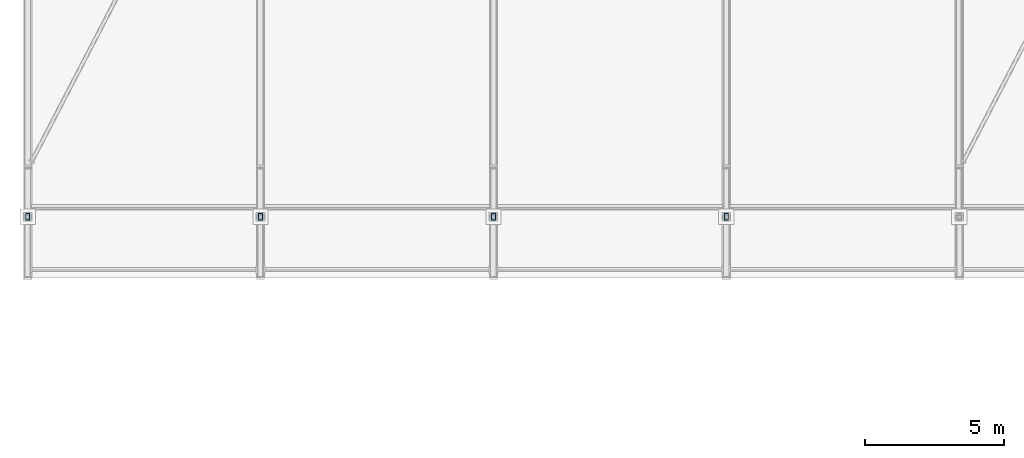
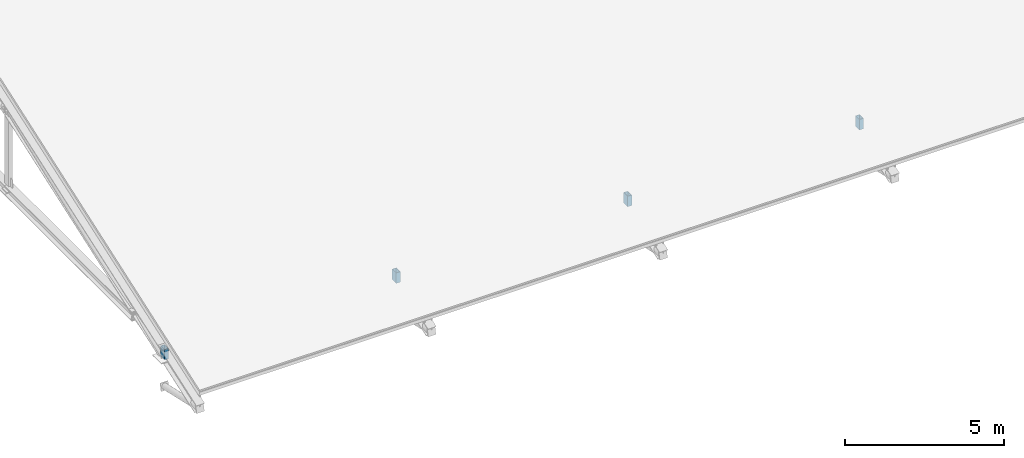
# One storey, part 21 of 57: 4 members.
"""IFC4 building model written with IfcOpenShell, lengths in metres."""

from ifc_helpers import new_model, si_unit, direction, frame, origin, origin_2d, place, context, subcontext, project, spatial, hollow_rectangle, extrude, material, material_profile, profile_set, type_object, element, save


model = new_model("IFC4")

# Units and contexts
model_context = context("Model", 3, precision=1e-05, world=origin(), true_north=direction((0.0, 1.0)))
body_context = subcontext(model_context, "Body", "Model", "MODEL_VIEW")
ifc_project = project(units=[si_unit("LENGTHUNIT", "METRE"), si_unit("AREAUNIT", "SQUARE_METRE"), si_unit("VOLUMEUNIT", "CUBIC_METRE"), si_unit("PLANEANGLEUNIT", "RADIAN"), si_unit("MASSUNIT", "GRAM", prefix="KILO")], contexts=[model_context])

# Site, building, storey
site_placement = place(None, origin())
site = spatial("IfcSite", under=ifc_project, at=site_placement, CompositionType="ELEMENT")
building_placement = place(site_placement, origin())
building = spatial("IfcBuilding", under=site, at=building_placement, Name="Kelarvand Opera House", CompositionType="ELEMENT")
storey_placement = place(building_placement, frame((0.0, 0.0, 33.60009765625)))
storey = spatial("IfcBuildingStorey", under=building, at=storey_placement, Name="Roof", CompositionType="ELEMENT", Elevation=33.60009765625)

# Members
ifc_material = material(Name="Steel S355", Category="steel")
ifc_material_profile = material_profile(ifc_material, hollow_rectangle(XDim=0.14990234375, YDim=0.25, WallThickness=0.010009765625, at=origin_2d()), Name="RHS 250x150x10.0", Category="steel")
ifc_profile_set = profile_set([ifc_material_profile], Name="Steel S355")
member_type = type_object("IfcMemberType", Name="Structural Post RHS 250x150x10.0 PS-RHS250", PredefinedType="POST", material=ifc_profile_set)
for number, where, z_axis, x_axis, name in (
    (1, (9.0, 87.199951171875, -14.10009765625), (0.0, 0.0, 1.0), (1.0, 0.0, 0.0), "V3 Roof Truss 1 Bearing Post S"),
    (2, (17.39990234375, 87.199951171875, -14.10009765625), (0.0, 0.0, 1.0), (1.0, 0.0, 0.0), "V3 Roof Truss 2 Bearing Post S"),
    (3, (25.800048828125, 87.199951171875, -14.10009765625), (0.0, 0.0, 1.0), (1.0, 0.0, 0.0), "V3 Roof Truss 3 Bearing Post S"),
    (4, (34.199951171875, 87.199951171875, -14.10009765625), (0.0, 0.0, 1.0), (1.0, 0.0, 0.0), "V3 Roof Truss 4 Bearing Post S"),
):
    element("IfcMember", number, at=place(storey_placement, frame(where, z_axis=z_axis, x_axis=x_axis)), inside=storey, type_object=member_type, Name=name, PredefinedType="POST", context=body_context, shape_type="SweptSolid", body=[
        extrude(hollow_rectangle(XDim=0.14990234375, YDim=0.25, WallThickness=0.010009765625, at=origin_2d()), origin(), (0.0, 0.0, 1.0), 0.39990234375),
    ])

save(model, "model.ifc")
